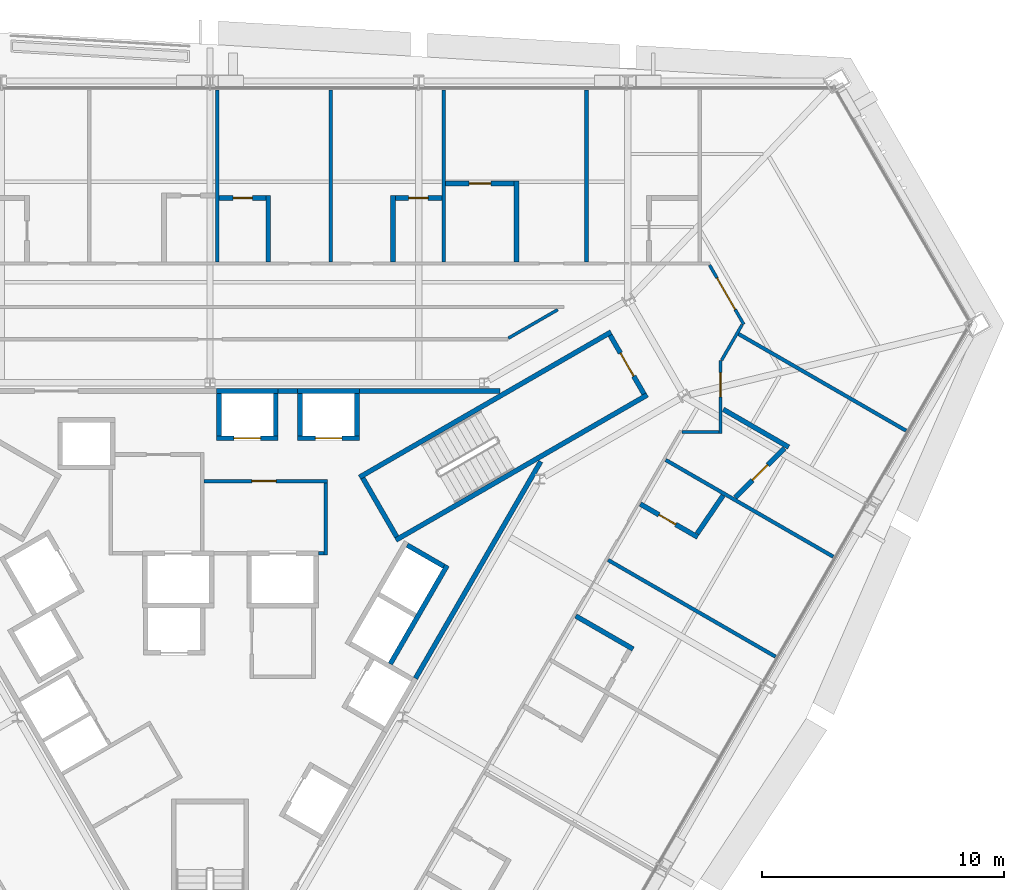
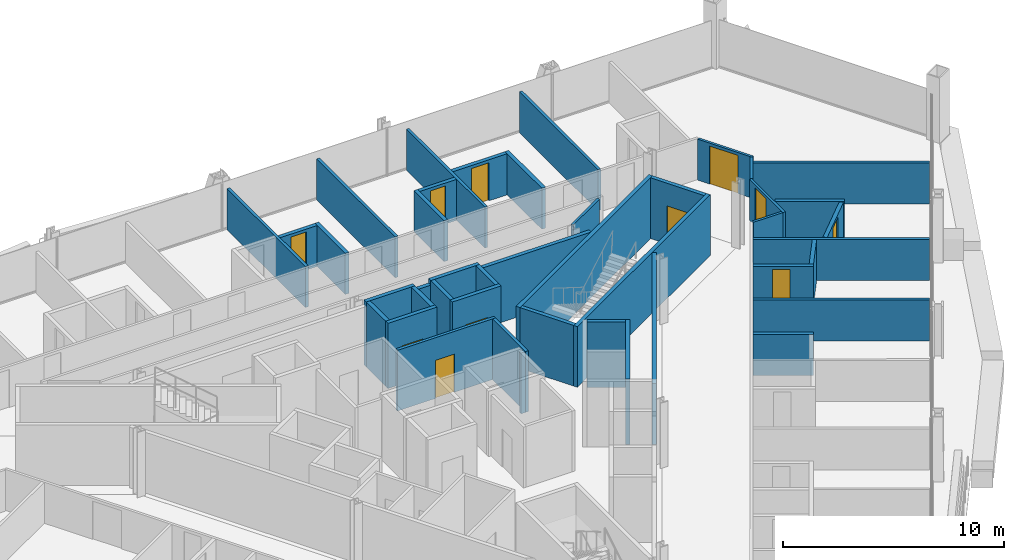
# One storey, part 15 of 18: 43 walls, 11 doors, 11 openings.
"""IFC4 building model written with IfcOpenShell, lengths in metres."""

from ifc_helpers import new_model, si_unit, direction, frame, frame_2d, origin, place, context, subcontext, project, spatial, rectangle, extrude, material, layer, layer_set, type_object, element, fill, save


model = new_model("IFC4")

# Units and contexts
model_context = context("Model", 3, precision=1e-05, world=origin(), true_north=direction((0.0, 1.0)))
body_context = subcontext(model_context, "Body", "Model", "MODEL_VIEW")
ifc_project = project(units=[si_unit("LENGTHUNIT", "METRE"), si_unit("AREAUNIT", "SQUARE_METRE"), si_unit("VOLUMEUNIT", "CUBIC_METRE"), si_unit("PLANEANGLEUNIT", "RADIAN"), si_unit("MASSUNIT", "GRAM", prefix="KILO")], contexts=[model_context])

# Site, building, storey
site_placement = place(None, origin())
site = spatial("IfcSite", under=ifc_project, at=site_placement, CompositionType="ELEMENT")
building_placement = place(site_placement, origin())
building = spatial("IfcBuilding", under=site, at=building_placement, Name="Verrane Prism Tower", CompositionType="ELEMENT")
storey_placement = place(building_placement, frame((0.0, 0.0, 83.60009765625)))
storey = spatial("IfcBuildingStorey", under=building, at=storey_placement, Name="L19", CompositionType="ELEMENT", Elevation=83.60009765625)

# Walls
ifc_material_1 = material(Name="Gypsum board partition", Category="other")
ifc_layer_1 = layer(ifc_material_1, 0.199951171875)
ifc_layer_set_1 = layer_set([ifc_layer_1], Name="CW-200 core boundary wall 2 h")
wall_type_1 = type_object("IfcWallType", Name="CW-200 core boundary wall 2 h", PredefinedType="PARTITIONING", material=ifc_layer_set_1)
wall_1_placement = place(storey_placement, frame((2.81689453125, 8.860107421875, 0.0), z_axis=(0.0, 0.0, 1.0), x_axis=(1.0, 0.0, 0.0)))
element("IfcWall", 1, at=wall_1_placement, inside=storey, type_object=wall_type_1, Name="Core boundary wall CW3-004", PredefinedType="PARTITIONING", context=body_context, shape_type="SweptSolid", body=[
    extrude(rectangle(XDim=0.80615234375, YDim=0.199951171875, at=frame_2d((0.403076171875, 0.0))), origin(), (0.0, 0.0, 1.0), 3.349853515625),
])
wall_2_placement = place(storey_placement, frame((6.177001953125, 8.860107421875, 0.0), z_axis=(0.0, 0.0, 1.0), x_axis=(1.0, 0.0, 0.0)))
element("IfcWall", 2, at=wall_2_placement, inside=storey, type_object=wall_type_1, Name="Core boundary wall CW3-006", PredefinedType="PARTITIONING", context=body_context, shape_type="SweptSolid", body=[
    extrude(rectangle(XDim=5.81396484375, YDim=0.199951171875, at=frame_2d((2.906982421875, 0.0))), origin(), (0.0, 0.0, 1.0), 3.349853515625),
])
wall_3_placement = place(storey_placement, frame((8.491943359375, -3.011962890625, 0.0), z_axis=(0.0, 0.0, 1.0), x_axis=(0.499972957231, 0.866041016371, 0.0)))
element("IfcWall", 3, at=wall_3_placement, inside=storey, type_object=wall_type_1, Name="Core boundary wall CW3-007", PredefinedType="PARTITIONING", context=body_context, shape_type="SweptSolid", body=[
    extrude(rectangle(XDim=10.3486328125, YDim=0.199951171875, at=frame_2d((5.17431640625, 0.0))), origin(), (0.0, 0.0, 1.0), 3.349853515625),
])

# Wall, opening, door
ifc_material_2 = material(Name="Concrete C40/50", Category="concrete")
ifc_layer_2 = layer(ifc_material_2, 0.199951171875)
ifc_layer_set_2 = layer_set([ifc_layer_2], Name="CW-200 stair core wall concrete C40/50 3 h")
wall_type_2 = type_object("IfcWallType", Name="CW-200 stair core wall concrete C40/50 3 h", PredefinedType="PARTITIONING", material=ifc_layer_set_2)
wall_4_placement = place(storey_placement, frame((17.933837890625, 8.737548828125, 0.0), z_axis=(0.0, 0.0, 1.0), x_axis=(-0.49998411664, 0.866034573852, 0.0)))
wall_4 = element("IfcWall", 4, at=wall_4_placement, inside=storey, type_object=wall_type_2, Name="Stair 1 enclosure wall", PredefinedType="PARTITIONING", context=body_context, shape_type="SweptSolid", body=[
    extrude(rectangle(XDim=2.7998046875, YDim=0.199951171875, at=frame_2d((1.39990234375, 0.0))), origin(), (0.0, 0.0, 1.0), 3.349853515625),
])
opening_1_placement = place(wall_4_placement, frame((0.849853515625, 0.0, 0.0)))
opening_1 = element("IfcOpeningElement", 5, at=opening_1_placement, cuts=wall_4, Name="Opening D17500", PredefinedType="OPENING", context=body_context, shape_type="SweptSolid", body=[
    extrude(rectangle(XDim=1.10009765625, YDim=2.10009765625, at=frame_2d((0.550048828125, 1.050048828125))), frame((0.0, 0.10986328125, 0.0), z_axis=(0.0, -1.0, 0.0), x_axis=(1.0, 0.0, 0.0)), (0.0, 0.0, 1.0), 0.219970703125),
])
ifc_material_3 = material(Name="Timber veneered door leaf", Category="wood")
door_type_1 = type_object("IfcDoorType", Name="DR-1100x2100 FD90 single leaf stair", OperationType="NOTDEFINED", PredefinedType="DOOR", material=ifc_material_3)
door_1_placement = place(opening_1_placement, origin())
door_1 = element("IfcDoor", 6, at=door_1_placement, inside=storey, type_object=door_type_1, Name="Stair 1 door", OperationType="SINGLE_SWING_LEFT", OverallHeight=2.10009765625, OverallWidth=1.10009765625, PredefinedType="DOOR", context=body_context, shape_type="SweptSolid", body=[
    extrude(rectangle(XDim=1.10009765625, YDim=2.10009765625, at=frame_2d((0.550048828125, 1.050048828125))), frame((0.0, 0.02490234375, 0.0), z_axis=(0.0, -1.0, 0.0), x_axis=(1.0, 0.0, 0.0)), (0.0, 0.0, 1.0), 0.050048828125),
])
fill(opening_1, door_1)

# Walls
for number, where, z_axis, x_axis, name in (
    (7, (6.17822265625, 5.299072265625, 0.0), (0.0, 0.0, 1.0), (0.866026010844, 0.49999894854, 0.0), "Stair 1 enclosure wall"),
    (8, (7.67822265625, 2.700927734375, 0.0), (0.0, 0.0, 1.0), (0.866026010844, 0.49999894854, 0.0), "Stair 1 enclosure wall"),
):
    element("IfcWall", number, at=place(storey_placement, frame(where, z_axis=z_axis, x_axis=x_axis)), inside=storey, type_object=wall_type_2, Name=name, PredefinedType="PARTITIONING", context=body_context, shape_type="SweptSolid", body=[
        extrude(rectangle(XDim=12.0, YDim=0.199951171875, at=frame_2d((6.0, 0.0))), origin(), (0.0, 0.0, 1.0), 3.349853515625),
    ])
wall_5_placement = place(storey_placement, frame((7.71484375, 2.837646484375, 0.0), z_axis=(0.0, 0.0, 1.0), x_axis=(-0.500049511043, 0.865996816683, 0.0)))
element("IfcWall", 9, at=wall_5_placement, inside=storey, type_object=wall_type_2, Name="Stair 1 enclosure wall", PredefinedType="PARTITIONING", context=body_context, shape_type="SweptSolid", body=[
    extrude(rectangle(XDim=2.800048828125, YDim=0.199951171875, at=frame_2d((1.39990234375, 0.0))), origin(), (0.0, 0.0, 1.0), 3.349853515625),
])

# Wall, opening, door
ifc_material_4 = material(Name="Gypsum board shaft wall assembly", Category="other")
ifc_layer_3 = layer(ifc_material_4, 0.199951171875)
ifc_layer_set_3 = layer_set([ifc_layer_3], Name="HW-200 lift shaft wall 2 h")
wall_type_3 = type_object("IfcWallType", Name="HW-200 lift shaft wall 2 h", PredefinedType="PARTITIONING", material=ifc_layer_set_3)
wall_6_placement = place(storey_placement, frame((0.264892578125, 6.909912109375, 0.0), z_axis=(0.0, 0.0, 1.0), x_axis=(1.0, 0.0, 0.0)))
wall_6 = element("IfcWall", 10, at=wall_6_placement, inside=storey, type_object=wall_type_3, Name="Lift shaft wall", PredefinedType="PARTITIONING", context=body_context, shape_type="SweptSolid", body=[
    extrude(rectangle(XDim=2.550048828125, YDim=0.199951171875, at=frame_2d((1.27490234375, 0.0))), origin(), (0.0, 0.0, 1.0), 3.599853515625),
])
opening_2_placement = place(wall_6_placement, frame((0.72509765625, 0.0, 0.0)))
opening_2 = element("IfcOpeningElement", 11, at=opening_2_placement, cuts=wall_6, Name="Opening D17503", PredefinedType="OPENING", context=body_context, shape_type="SweptSolid", body=[
    extrude(rectangle(XDim=1.10009765625, YDim=2.10009765625, at=frame_2d((0.550048828125, 1.050048828125))), frame((0.0, 0.10986328125, 0.0), z_axis=(0.0, -1.0, 0.0), x_axis=(1.0, 0.0, 0.0)), (0.0, 0.0, 1.0), 0.219970703125),
])
ifc_material_5 = material(Name="Stainless steel sliding landing door", Category="steel")
door_type_2 = type_object("IfcDoorType", Name="LD-1100x2100 lift landing door FD90 sliding", OperationType="NOTDEFINED", PredefinedType="DOOR", material=ifc_material_5)
door_2_placement = place(opening_2_placement, origin())
door_2 = element("IfcDoor", 12, at=door_2_placement, inside=storey, type_object=door_type_2, Name="Bank A lift 1 landing door", OperationType="SLIDING_TO_LEFT", OverallHeight=2.10009765625, OverallWidth=1.10009765625, PredefinedType="DOOR", context=body_context, shape_type="SweptSolid", body=[
    extrude(rectangle(XDim=1.10009765625, YDim=2.10009765625, at=frame_2d((0.550048828125, 1.050048828125))), frame((0.0, 0.02490234375, 0.0), z_axis=(0.0, -1.0, 0.0), x_axis=(1.0, 0.0, 0.0)), (0.0, 0.0, 1.0), 0.050048828125),
])
fill(opening_2, door_2)

wall_7_placement = place(storey_placement, frame((3.625, 6.909912109375, 0.0), z_axis=(0.0, 0.0, 1.0), x_axis=(1.0, 0.0, 0.0)))
wall_7 = element("IfcWall", 13, at=wall_7_placement, inside=storey, type_object=wall_type_3, Name="Lift shaft wall", PredefinedType="PARTITIONING", context=body_context, shape_type="SweptSolid", body=[
    extrude(rectangle(XDim=2.550048828125, YDim=0.199951171875, at=frame_2d((1.27490234375, 0.0))), origin(), (0.0, 0.0, 1.0), 3.599853515625),
])
opening_3_placement = place(wall_7_placement, frame((0.72509765625, 0.0, 0.0)))
opening_3 = element("IfcOpeningElement", 14, at=opening_3_placement, cuts=wall_7, Name="Opening D17505", PredefinedType="OPENING", context=body_context, shape_type="SweptSolid", body=[
    extrude(rectangle(XDim=1.10009765625, YDim=2.10009765625, at=frame_2d((0.550048828125, 1.050048828125))), frame((0.0, 0.10986328125, 0.0), z_axis=(0.0, -1.0, 0.0), x_axis=(1.0, 0.0, 0.0)), (0.0, 0.0, 1.0), 0.219970703125),
])
door_3_placement = place(opening_3_placement, origin())
door_3 = element("IfcDoor", 15, at=door_3_placement, inside=storey, type_object=door_type_2, Name="Bank A lift 3 landing door", OperationType="SLIDING_TO_LEFT", OverallHeight=2.10009765625, OverallWidth=1.10009765625, PredefinedType="DOOR", context=body_context, shape_type="SweptSolid", body=[
    extrude(rectangle(XDim=1.10009765625, YDim=2.10009765625, at=frame_2d((0.550048828125, 1.050048828125))), frame((0.0, 0.02490234375, 0.0), z_axis=(0.0, -1.0, 0.0), x_axis=(1.0, 0.0, 0.0)), (0.0, 0.0, 1.0), 0.050048828125),
])
fill(opening_3, door_3)

# Walls
for number, where, z_axis, x_axis, name in (
    (16, (0.264892578125, 8.860107421875, 0.0), (0.0, 0.0, 1.0), (1.0, 0.0, 0.0), "Lift shaft wall"),
    (17, (3.625, 8.860107421875, 0.0), (0.0, 0.0, 1.0), (1.0, 0.0, 0.0), "Lift shaft wall"),
):
    element("IfcWall", number, at=place(storey_placement, frame(where, z_axis=z_axis, x_axis=x_axis)), inside=storey, type_object=wall_type_3, Name=name, PredefinedType="PARTITIONING", context=body_context, shape_type="SweptSolid", body=[
        extrude(rectangle(XDim=2.550048828125, YDim=0.199951171875, at=frame_2d((1.27490234375, 0.0))), origin(), (0.0, 0.0, 1.0), 3.599853515625),
    ])
wall_8_placement = place(storey_placement, frame((7.451171875, -2.4140625, 0.0), z_axis=(0.0, 0.0, 1.0), x_axis=(0.500016218704, 0.866016039709, 0.0)))
element("IfcWall", 18, at=wall_8_placement, inside=storey, type_object=wall_type_3, Name="Lift shaft wall", PredefinedType="PARTITIONING", context=body_context, shape_type="SweptSolid", body=[
    extrude(rectangle(XDim=4.699951171875, YDim=0.199951171875, at=frame_2d((2.35009765625, 0.0))), origin(), (0.0, 0.0, 1.0), 3.599853515625),
])
for number, where, z_axis, x_axis, name in (
    (19, (6.074951171875, 7.010009765625, 0.0), (0.0, 0.0, 1.0), (0.0, 1.0, 0.0), "Lift shaft wall"),
    (20, (3.72509765625, 7.010009765625, 0.0), (0.0, 0.0, 1.0), (0.0, 1.0, 0.0), "Lift shaft wall"),
    (21, (2.715087890625, 7.010009765625, 0.0), (0.0, 0.0, 1.0), (0.0, 1.0, 0.0), "Lift shaft wall"),
    (22, (0.364990234375, 7.010009765625, 0.0), (0.0, 0.0, 1.0), (0.0, 1.0, 0.0), "Lift shaft wall"),
):
    element("IfcWall", number, at=place(storey_placement, frame(where, z_axis=z_axis, x_axis=x_axis)), inside=storey, type_object=wall_type_3, Name=name, PredefinedType="PARTITIONING", context=body_context, shape_type="SweptSolid", body=[
        extrude(rectangle(XDim=1.75, YDim=0.199951171875, at=frame_2d((0.875, 0.0))), origin(), (0.0, 0.0, 1.0), 3.599853515625),
    ])
wall_9_placement = place(storey_placement, frame((9.66455078125, 1.61962890625, 0.0), z_axis=(0.0, 0.0, 1.0), x_axis=(-0.866002029911, 0.500040482552, 0.0)))
element("IfcWall", 23, at=wall_9_placement, inside=storey, type_object=wall_type_3, Name="Lift shaft wall", PredefinedType="PARTITIONING", context=body_context, shape_type="SweptSolid", body=[
    extrude(rectangle(XDim=1.749755859375, YDim=0.199951171875, at=frame_2d((0.875, 0.0))), origin(), (0.0, 0.0, 1.0), 3.599853515625),
])

# Wall, opening, door
ifc_material_6 = material(Name="Gypsum board partition", Category="other")
ifc_layer_4 = layer(ifc_material_6, 0.14990234375)
ifc_layer_set_4 = layer_set([ifc_layer_4], Name="LF-150 firefighting lobby wall 1 h")
wall_type_4 = type_object("IfcWallType", Name="LF-150 firefighting lobby wall 1 h", PredefinedType="PARTITIONING", material=ifc_layer_set_4)
wall_10_placement = place(storey_placement, frame((-0.2451171875, 5.139892578125, 0.0), z_axis=(0.0, 0.0, 1.0), x_axis=(1.0, 0.0, 0.0)))
wall_10 = element("IfcWall", 24, at=wall_10_placement, inside=storey, type_object=wall_type_4, Name="Firefighting lobby wall LF1-005", PredefinedType="PARTITIONING", context=body_context, shape_type="SweptSolid", body=[
    extrude(rectangle(XDim=5.110107421875, YDim=0.14990234375, at=frame_2d((2.55517578125, 0.0))), origin(), (0.0, 0.0, 1.0), 3.349853515625),
])
opening_4_placement = place(wall_10_placement, frame((1.97509765625, 0.0, 0.0)))
opening_4 = element("IfcOpeningElement", 25, at=opening_4_placement, cuts=wall_10, Name="Opening D17516", PredefinedType="OPENING", context=body_context, shape_type="SweptSolid", body=[
    extrude(rectangle(XDim=1.0, YDim=2.10009765625, at=frame_2d((0.5, 1.050048828125))), frame((0.0, 0.0849609375, 0.0), z_axis=(0.0, -1.0, 0.0), x_axis=(1.0, 0.0, 0.0)), (0.0, 0.0, 1.0), 0.169921875),
])
ifc_material_7 = material(Name="Timber veneered door leaf", Category="wood")
door_type_3 = type_object("IfcDoorType", Name="DR-1000x2100 FD60 single leaf firefighting lobby", OperationType="NOTDEFINED", PredefinedType="DOOR", material=ifc_material_7)
door_4_placement = place(opening_4_placement, origin())
door_4 = element("IfcDoor", 26, at=door_4_placement, inside=storey, type_object=door_type_3, Name="Firefighting lobby door D17516", OperationType="SINGLE_SWING_RIGHT", OverallHeight=2.10009765625, OverallWidth=1.0, PredefinedType="DOOR", context=body_context, shape_type="SweptSolid", body=[
    extrude(rectangle(XDim=1.0, YDim=2.10009765625, at=frame_2d((0.5, 1.050048828125))), frame((0.0, 0.02490234375, 0.0), z_axis=(0.0, -1.0, 0.0), x_axis=(1.0, 0.0, 0.0)), (0.0, 0.0, 1.0), 0.050048828125),
])
fill(opening_4, door_4)

# Walls
wall_11_placement = place(storey_placement, frame((4.47705078125, 2.159912109375, 0.0), z_axis=(0.0, 0.0, 1.0), x_axis=(1.0, 0.0, 0.0)))
element("IfcWall", 27, at=wall_11_placement, inside=storey, type_object=wall_type_4, Name="Firefighting lobby wall LF1-007", PredefinedType="PARTITIONING", context=body_context, shape_type="SweptSolid", body=[
    extrude(rectangle(XDim=0.238037109375, YDim=0.14990234375, at=frame_2d((0.119140625, 0.0))), origin(), (0.0, 0.0, 1.0), 3.349853515625),
])
wall_12_placement = place(storey_placement, frame((4.7900390625, 2.0849609375, 0.0), z_axis=(0.0, 0.0, 1.0), x_axis=(0.0, 1.0, 0.0)))
element("IfcWall", 28, at=wall_12_placement, inside=storey, type_object=wall_type_4, Name="Firefighting lobby wall LF1-008", PredefinedType="PARTITIONING", context=body_context, shape_type="SweptSolid", body=[
    extrude(rectangle(XDim=2.97998046875, YDim=0.14990234375, at=frame_2d((1.489990234375, 0.0))), origin(), (0.0, 0.0, 1.0), 3.349853515625),
])
ifc_material_8 = material(Name="Gypsum board partition", Category="other")
ifc_layer_5 = layer(ifc_material_8, 0.125)
ifc_layer_set_5 = layer_set([ifc_layer_5], Name="PW-125 corridor wall 1 h")
wall_type_5 = type_object("IfcWallType", Name="PW-125 corridor wall 1 h", PredefinedType="PARTITIONING", material=ifc_layer_set_5)
wall_13_placement = place(storey_placement, frame((12.32666015625, 11.04248046875, 0.0), z_axis=(0.0, 0.0, 1.0), x_axis=(0.866063239147, 0.499934461503, 0.0)))
element("IfcWall", 29, at=wall_13_placement, inside=storey, type_object=wall_type_5, Name="Corridor wall 072", PredefinedType="PARTITIONING", context=body_context, shape_type="SweptSolid", body=[
    extrude(rectangle(XDim=2.359130859375, YDim=0.125, at=frame_2d((1.1796875, 0.0))), origin(), (0.0, 0.0, 1.0), 2.261962890625),
])
wall_14_placement = place(storey_placement, frame((19.510009765625, 7.1630859375, 0.0), z_axis=(0.0, 0.0, 1.0), x_axis=(1.0, 0.0, 0.0)))
element("IfcWall", 30, at=wall_14_placement, inside=storey, type_object=wall_type_5, Name="Corridor wall 085", PredefinedType="PARTITIONING", context=body_context, shape_type="SweptSolid", body=[
    extrude(rectangle(XDim=1.52197265625, YDim=0.125, at=frame_2d((0.760986328125, 0.0))), origin(), (0.0, 0.0, 1.0), 2.261962890625),
])

# Wall, opening, door
wall_15_placement = place(storey_placement, frame((20.642578125, 14.0634765625, 0.0), z_axis=(0.0, 0.0, 1.0), x_axis=(0.499647745683, -0.866228682412, 0.0)))
wall_15 = element("IfcWall", 31, at=wall_15_placement, inside=storey, type_object=wall_type_5, Name="Corridor wall 088", PredefinedType="PARTITIONING", context=body_context, shape_type="SweptSolid", body=[
    extrude(rectangle(XDim=2.8291015625, YDim=0.125, at=frame_2d((1.41455078125, 0.0))), origin(), (0.0, 0.0, 1.0), 2.261962890625),
])
opening_5_placement = place(wall_15_placement, frame((0.614990234375, 0.0, 0.0)))
opening_5 = element("IfcOpeningElement", 32, at=opening_5_placement, cuts=wall_15, Name="Opening D17017", PredefinedType="OPENING", context=body_context, shape_type="SweptSolid", body=[
    extrude(rectangle(XDim=1.5, YDim=2.10009765625, at=frame_2d((0.75, 1.050048828125))), frame((0.0, 0.072509765625, 0.0), z_axis=(0.0, -1.0, 0.0), x_axis=(1.0, 0.0, 0.0)), (0.0, 0.0, 1.0), 0.14501953125),
])
ifc_material_9 = material(Name="Timber veneered door leaf", Category="wood")
door_type_4 = type_object("IfcDoorType", Name="DR-1500x2100 FD20 double leaf public", OperationType="NOTDEFINED", PredefinedType="DOOR", material=ifc_material_9)
door_5_placement = place(opening_5_placement, origin())
door_5 = element("IfcDoor", 33, at=door_5_placement, inside=storey, type_object=door_type_4, Name="Executive Lounge door", OperationType="DOUBLE_DOOR_SINGLE_SWING", OverallHeight=2.10009765625, OverallWidth=1.5, PredefinedType="DOOR", context=body_context, shape_type="SweptSolid", body=[
    extrude(rectangle(XDim=1.5, YDim=2.10009765625, at=frame_2d((0.75, 1.050048828125))), frame((0.0, 0.02490234375, 0.0), z_axis=(0.0, -1.0, 0.0), x_axis=(1.0, 0.0, 0.0)), (0.0, 0.0, 1.0), 0.050048828125),
])
fill(opening_5, door_5)

wall_16_placement = place(storey_placement, frame((21.096923828125, 10.12255859375, 0.0), z_axis=(0.0, 0.0, 1.0), x_axis=(0.0, -1.0, 0.0)))
wall_16 = element("IfcWall", 34, at=wall_16_placement, inside=storey, type_object=wall_type_5, Name="Corridor wall 089", PredefinedType="PARTITIONING", context=body_context, shape_type="SweptSolid", body=[
    extrude(rectangle(XDim=3.02197265625, YDim=0.125, at=frame_2d((1.510986328125, 0.0))), origin(), (0.0, 0.0, 1.0), 2.261962890625),
])
opening_6_placement = place(wall_16_placement, frame((0.505615234375, 0.0, 0.0)))
opening_6 = element("IfcOpeningElement", 35, at=opening_6_placement, cuts=wall_16, Name="Opening D17015", PredefinedType="OPENING", context=body_context, shape_type="SweptSolid", body=[
    extrude(rectangle(XDim=1.0, YDim=2.10009765625, at=frame_2d((0.5, 1.050048828125))), frame((0.0, 0.072509765625, 0.0), z_axis=(0.0, -1.0, 0.0), x_axis=(1.0, 0.0, 0.0)), (0.0, 0.0, 1.0), 0.14501953125),
])
ifc_material_10 = material(Name="Timber veneered door leaf", Category="wood")
door_type_5 = type_object("IfcDoorType", Name="DR-1000x2100 FD20 single leaf unit", OperationType="NOTDEFINED", PredefinedType="DOOR", material=ifc_material_10)
door_6_placement = place(opening_6_placement, origin())
door_6 = element("IfcDoor", 36, at=door_6_placement, inside=storey, type_object=door_type_5, Name="Accessible Guest Room door", OperationType="SINGLE_SWING_RIGHT", OverallHeight=2.10009765625, OverallWidth=1.0, PredefinedType="DOOR", context=body_context, shape_type="SweptSolid", body=[
    extrude(rectangle(XDim=1.0, YDim=2.10009765625, at=frame_2d((0.5, 1.050048828125))), frame((0.0, 0.02490234375, 0.0), z_axis=(0.0, -1.0, 0.0), x_axis=(1.0, 0.0, 0.0)), (0.0, 0.0, 1.0), 0.050048828125),
])
fill(opening_6, door_6)

# Walls
wall_17_placement = place(storey_placement, frame((21.139404296875, 10.133544921875, 0.0), z_axis=(0.0, 0.0, 1.0), x_axis=(0.500048373822, 0.865997473344, 0.0)))
element("IfcWall", 37, at=wall_17_placement, inside=storey, type_object=wall_type_5, Name="Corridor wall 091", PredefinedType="PARTITIONING", context=body_context, shape_type="SweptSolid", body=[
    extrude(rectangle(XDim=1.685791015625, YDim=0.125, at=frame_2d((0.8427734375, 0.0))), origin(), (0.0, 0.0, 1.0), 2.261962890625),
])
ifc_material_11 = material(Name="Gypsum board partition", Category="other")
ifc_layer_6 = layer(ifc_material_11, 0.14990234375)
ifc_layer_set_6 = layer_set([ifc_layer_6], Name="PW-150 demising wall 1 h")
wall_type_6 = type_object("IfcWallType", Name="PW-150 demising wall 1 h", PredefinedType="PARTITIONING", material=ifc_layer_set_6)
for number, where, z_axis, x_axis, name in (
    (38, (0.304931640625, 14.199462890625, 0.0), (0.0, 0.0, 1.0), (0.0, 1.0, 0.0), "Demising wall 047"),
    (39, (4.98291015625, 14.199462890625, 0.0), (0.0, 0.0, 1.0), (0.0, 1.0, 0.0), "Demising wall 057"),
    (40, (9.659912109375, 14.199462890625, 0.0), (0.0, 0.0, 1.0), (0.0, 1.0, 0.0), "Demising wall 066"),
    (41, (15.55810546875, 14.199462890625, 0.0), (0.0, 0.0, 1.0), (0.0, 1.0, 0.0), "Demising wall 078"),
):
    element("IfcWall", number, at=place(storey_placement, frame(where, z_axis=z_axis, x_axis=x_axis)), inside=storey, type_object=wall_type_6, Name=name, PredefinedType="PARTITIONING", context=body_context, shape_type="SweptSolid", body=[
        extrude(rectangle(XDim=7.095458984375, YDim=0.14990234375, at=frame_2d((3.5478515625, 0.0))), origin(), (0.0, 0.0, 1.0), 2.261962890625),
    ])
wall_18_placement = place(storey_placement, frame((16.450439453125, 1.877197265625, 0.0), z_axis=(0.0, 0.0, 1.0), x_axis=(0.866052736899, -0.499952654668, 0.0)))
element("IfcWall", 42, at=wall_18_placement, inside=storey, type_object=wall_type_6, Name="Demising wall 080", PredefinedType="PARTITIONING", context=body_context, shape_type="SweptSolid", body=[
    extrude(rectangle(XDim=7.987060546875, YDim=0.14990234375, at=frame_2d((3.99365234375, 0.0))), origin(), (0.0, 0.0, 1.0), 2.261962890625),
])
wall_19_placement = place(storey_placement, frame((18.83203125, 6.0107421875, 0.0), z_axis=(0.0, 0.0, 1.0), x_axis=(0.866027362729, -0.499996606993, 0.0)))
element("IfcWall", 43, at=wall_19_placement, inside=storey, type_object=wall_type_6, Name="Demising wall 084", PredefinedType="PARTITIONING", context=body_context, shape_type="SweptSolid", body=[
    extrude(rectangle(XDim=7.9912109375, YDim=0.14990234375, at=frame_2d((3.99560546875, 0.0))), origin(), (0.0, 0.0, 1.0), 2.261962890625),
])
wall_20_placement = place(storey_placement, frame((21.839111328125, 11.21875, 0.0), z_axis=(0.0, 0.0, 1.0), x_axis=(0.866019724796, -0.500009836168, 0.0)))
element("IfcWall", 44, at=wall_20_placement, inside=storey, type_object=wall_type_6, Name="Demising wall 093", PredefinedType="PARTITIONING", context=body_context, shape_type="SweptSolid", body=[
    extrude(rectangle(XDim=7.990966796875, YDim=0.14990234375, at=frame_2d((3.99560546875, 0.0))), origin(), (0.0, 0.0, 1.0), 2.261962890625),
])

# Wall, opening, door
ifc_material_12 = material(Name="Gypsum board partition", Category="other")
ifc_layer_7 = layer(ifc_material_12, 0.199951171875)
ifc_layer_set_7 = layer_set([ifc_layer_7], Name="PW-200 plumbing wall")
wall_type_7 = type_object("IfcWallType", Name="PW-200 plumbing wall", PredefinedType="PARTITIONING", material=ifc_layer_set_7)
wall_21_placement = place(storey_placement, frame((2.304931640625, 16.8369140625, 0.0), z_axis=(0.0, 0.0, 1.0), x_axis=(-1.0, 0.0, 0.0)))
wall_21 = element("IfcWall", 45, at=wall_21_placement, inside=storey, type_object=wall_type_7, Name="Plumbing wall 048", PredefinedType="PARTITIONING", context=body_context, shape_type="SweptSolid", body=[
    extrude(rectangle(XDim=1.925048828125, YDim=0.199951171875, at=frame_2d((0.96240234375, 0.0))), origin(), (0.0, 0.0, 1.0), 2.261962890625),
])
opening_7_placement = place(wall_21_placement, frame((0.550048828125, 0.0, 0.0)))
opening_7 = element("IfcOpeningElement", 46, at=opening_7_placement, cuts=wall_21, Name="Opening D17025", PredefinedType="OPENING", context=body_context, shape_type="SweptSolid", body=[
    extrude(rectangle(XDim=0.800048828125, YDim=2.10009765625, at=frame_2d((0.39990234375, 1.050048828125))), frame((0.0, 0.10986328125, 0.0), z_axis=(0.0, -1.0, 0.0), x_axis=(1.0, 0.0, 0.0)), (0.0, 0.0, 1.0), 0.219970703125),
])
ifc_material_13 = material(Name="Timber veneered door leaf", Category="wood")
door_type_6 = type_object("IfcDoorType", Name="DR-800x2100 single leaf bath", OperationType="NOTDEFINED", PredefinedType="DOOR", material=ifc_material_13)
door_7_placement = place(opening_7_placement, origin())
door_7 = element("IfcDoor", 47, at=door_7_placement, inside=storey, type_object=door_type_6, Name="En-Suite door", OperationType="SINGLE_SWING_RIGHT", OverallHeight=2.10009765625, OverallWidth=0.800048828125, PredefinedType="DOOR", context=body_context, shape_type="SweptSolid", body=[
    extrude(rectangle(XDim=0.800048828125, YDim=2.10009765625, at=frame_2d((0.39990234375, 1.050048828125))), frame((0.0, 0.02490234375, 0.0), z_axis=(0.0, -1.0, 0.0), x_axis=(1.0, 0.0, 0.0)), (0.0, 0.0, 1.0), 0.050048828125),
])
fill(opening_7, door_7)

# Walls
for number, where, z_axis, x_axis, name in (
    (48, (2.405029296875, 14.199462890625, 0.0), (0.0, 0.0, 1.0), (0.0, 1.0, 0.0), "Plumbing wall 052"),
    (49, (7.56005859375, 14.199462890625, 0.0), (0.0, 0.0, 1.0), (0.0, 1.0, 0.0), "Plumbing wall 062"),
):
    element("IfcWall", number, at=place(storey_placement, frame(where, z_axis=z_axis, x_axis=x_axis)), inside=storey, type_object=wall_type_7, Name=name, PredefinedType="PARTITIONING", context=body_context, shape_type="SweptSolid", body=[
        extrude(rectangle(XDim=2.737548828125, YDim=0.199951171875, at=frame_2d((1.36865234375, 0.0))), origin(), (0.0, 0.0, 1.0), 2.261962890625),
    ])

# Wall, opening, door
wall_22_placement = place(storey_placement, frame((9.5849609375, 16.8369140625, 0.0), z_axis=(0.0, 0.0, 1.0), x_axis=(-1.0, 0.0, 0.0)))
wall_22 = element("IfcWall", 50, at=wall_22_placement, inside=storey, type_object=wall_type_7, Name="Plumbing wall 063", PredefinedType="PARTITIONING", context=body_context, shape_type="SweptSolid", body=[
    extrude(rectangle(XDim=1.925048828125, YDim=0.199951171875, at=frame_2d((0.96240234375, 0.0))), origin(), (0.0, 0.0, 1.0), 2.261962890625),
])
opening_8_placement = place(wall_22_placement, frame((0.574951171875, 0.0, 0.0)))
opening_8 = element("IfcOpeningElement", 51, at=opening_8_placement, cuts=wall_22, Name="Opening D17023", PredefinedType="OPENING", context=body_context, shape_type="SweptSolid", body=[
    extrude(rectangle(XDim=0.800048828125, YDim=2.10009765625, at=frame_2d((0.39990234375, 1.050048828125))), frame((0.0, 0.10986328125, 0.0), z_axis=(0.0, -1.0, 0.0), x_axis=(1.0, 0.0, 0.0)), (0.0, 0.0, 1.0), 0.219970703125),
])
door_8_placement = place(opening_8_placement, origin())
door_8 = element("IfcDoor", 52, at=door_8_placement, inside=storey, type_object=door_type_6, Name="En-Suite door", OperationType="SINGLE_SWING_RIGHT", OverallHeight=2.10009765625, OverallWidth=0.800048828125, PredefinedType="DOOR", context=body_context, shape_type="SweptSolid", body=[
    extrude(rectangle(XDim=0.800048828125, YDim=2.10009765625, at=frame_2d((0.39990234375, 1.050048828125))), frame((0.0, 0.02490234375, 0.0), z_axis=(0.0, -1.0, 0.0), x_axis=(1.0, 0.0, 0.0)), (0.0, 0.0, 1.0), 0.050048828125),
])
fill(opening_8, door_8)

wall_23_placement = place(storey_placement, frame((12.56005859375, 17.43701171875, 0.0), z_axis=(0.0, 0.0, 1.0), x_axis=(-1.0, 0.0, 0.0)))
wall_23 = element("IfcWall", 53, at=wall_23_placement, inside=storey, type_object=wall_type_7, Name="Plumbing wall 067", PredefinedType="PARTITIONING", context=body_context, shape_type="SweptSolid", body=[
    extrude(rectangle(XDim=2.824951171875, YDim=0.199951171875, at=frame_2d((1.41259765625, 0.0))), origin(), (0.0, 0.0, 1.0), 2.261962890625),
])
opening_9_placement = place(wall_23_placement, frame((0.949951171875, 0.0, 0.0)))
opening_9 = element("IfcOpeningElement", 54, at=opening_9_placement, cuts=wall_23, Name="Opening D17021", PredefinedType="OPENING", context=body_context, shape_type="SweptSolid", body=[
    extrude(rectangle(XDim=0.89990234375, YDim=2.10009765625, at=frame_2d((0.449951171875, 1.050048828125))), frame((0.0, 0.10986328125, 0.0), z_axis=(0.0, -1.0, 0.0), x_axis=(1.0, 0.0, 0.0)), (0.0, 0.0, 1.0), 0.219970703125),
])
ifc_material_14 = material(Name="Timber veneered door leaf", Category="wood")
door_type_7 = type_object("IfcDoorType", Name="DR-900x2100 single leaf bath", OperationType="NOTDEFINED", PredefinedType="DOOR", material=ifc_material_14)
door_9_placement = place(opening_9_placement, origin())
door_9 = element("IfcDoor", 55, at=door_9_placement, inside=storey, type_object=door_type_7, Name="En-Suite door", OperationType="SINGLE_SWING_RIGHT", OverallHeight=2.10009765625, OverallWidth=0.89990234375, PredefinedType="DOOR", context=body_context, shape_type="SweptSolid", body=[
    extrude(rectangle(XDim=0.89990234375, YDim=2.10009765625, at=frame_2d((0.449951171875, 1.050048828125))), frame((0.0, 0.02490234375, 0.0), z_axis=(0.0, -1.0, 0.0), x_axis=(1.0, 0.0, 0.0)), (0.0, 0.0, 1.0), 0.050048828125),
])
fill(opening_9, door_9)

# Walls
wall_24_placement = place(storey_placement, frame((12.659912109375, 14.199462890625, 0.0), z_axis=(0.0, 0.0, 1.0), x_axis=(0.0, 1.0, 0.0)))
element("IfcWall", 56, at=wall_24_placement, inside=storey, type_object=wall_type_7, Name="Plumbing wall 073", PredefinedType="PARTITIONING", context=body_context, shape_type="SweptSolid", body=[
    extrude(rectangle(XDim=3.337646484375, YDim=0.199951171875, at=frame_2d((1.6689453125, 0.0))), origin(), (0.0, 0.0, 1.0), 2.261962890625),
])
wall_25_placement = place(storey_placement, frame((15.115478515625, -0.434814453125, 0.0), z_axis=(0.0, 0.0, 1.0), x_axis=(0.866102295869, -0.499866795347, 0.0)))
element("IfcWall", 57, at=wall_25_placement, inside=storey, type_object=wall_type_7, Name="Plumbing wall 076", PredefinedType="PARTITIONING", context=body_context, shape_type="SweptSolid", body=[
    extrude(rectangle(XDim=2.733154296875, YDim=0.199951171875, at=frame_2d((1.36669921875, 0.0))), origin(), (0.0, 0.0, 1.0), 2.261962890625),
])

# Wall, opening, door
wall_26_placement = place(storey_placement, frame((17.7822265625, 4.191650390625, 0.0), z_axis=(0.0, 0.0, 1.0), x_axis=(0.866005850709, -0.50003386539, 0.0)))
wall_26 = element("IfcWall", 58, at=wall_26_placement, inside=storey, type_object=wall_type_7, Name="Plumbing wall 081", PredefinedType="PARTITIONING", context=body_context, shape_type="SweptSolid", body=[
    extrude(rectangle(XDim=2.737060546875, YDim=0.199951171875, at=frame_2d((1.36865234375, 0.0))), origin(), (0.0, 0.0, 1.0), 2.261962890625),
])
opening_10_placement = place(wall_26_placement, frame((0.887451171875, 0.0, 0.0)))
opening_10 = element("IfcOpeningElement", 59, at=opening_10_placement, cuts=wall_26, Name="Opening D17014", PredefinedType="OPENING", context=body_context, shape_type="SweptSolid", body=[
    extrude(rectangle(XDim=0.800048828125, YDim=2.10009765625, at=frame_2d((0.39990234375, 1.050048828125))), frame((0.0, 0.10986328125, 0.0), z_axis=(0.0, -1.0, 0.0), x_axis=(1.0, 0.0, 0.0)), (0.0, 0.0, 1.0), 0.219970703125),
])
door_10_placement = place(opening_10_placement, origin())
door_10 = element("IfcDoor", 60, at=door_10_placement, inside=storey, type_object=door_type_6, Name="En-Suite door", OperationType="SINGLE_SWING_RIGHT", OverallHeight=2.10009765625, OverallWidth=0.800048828125, PredefinedType="DOOR", context=body_context, shape_type="SweptSolid", body=[
    extrude(rectangle(XDim=0.800048828125, YDim=2.10009765625, at=frame_2d((0.39990234375, 1.050048828125))), frame((0.0, 0.02490234375, 0.0), z_axis=(0.0, -1.0, 0.0), x_axis=(1.0, 0.0, 0.0)), (0.0, 0.0, 1.0), 0.050048828125),
])
fill(opening_10, door_10)

# Walls
wall_27_placement = place(storey_placement, frame((20.127685546875, 2.964111328125, 0.0), z_axis=(0.0, 0.0, 1.0), x_axis=(0.561894569182, 0.827208857015, 0.0)))
element("IfcWall", 61, at=wall_27_placement, inside=storey, type_object=wall_type_7, Name="Plumbing wall 086", PredefinedType="PARTITIONING", context=body_context, shape_type="SweptSolid", body=[
    extrude(rectangle(XDim=1.9130859375, YDim=0.199951171875, at=frame_2d((0.95654296875, 0.0))), origin(), (0.0, 0.0, 1.0), 2.261962890625),
])
wall_28_placement = place(storey_placement, frame((21.20947265625, 8.10205078125, 0.0), z_axis=(0.0, 0.0, 1.0), x_axis=(0.86597196262, -0.50009255139, 0.0)))
element("IfcWall", 62, at=wall_28_placement, inside=storey, type_object=wall_type_7, Name="Plumbing wall 090", PredefinedType="PARTITIONING", context=body_context, shape_type="SweptSolid", body=[
    extrude(rectangle(XDim=3.12158203125, YDim=0.199951171875, at=frame_2d((1.560791015625, 0.0))), origin(), (0.0, 0.0, 1.0), 2.261962890625),
])

# Wall, opening, door
wall_29_placement = place(storey_placement, frame((21.70849609375, 4.4658203125, 0.0), z_axis=(0.0, 0.0, 1.0), x_axis=(0.70578703929, 0.708424064506, 0.0)))
wall_29 = element("IfcWall", 63, at=wall_29_placement, inside=storey, type_object=wall_type_7, Name="Plumbing wall 092", PredefinedType="PARTITIONING", context=body_context, shape_type="SweptSolid", body=[
    extrude(rectangle(XDim=2.8701171875, YDim=0.199951171875, at=frame_2d((1.43505859375, 0.0))), origin(), (0.0, 0.0, 1.0), 2.261962890625),
])
opening_11_placement = place(wall_29_placement, frame((0.995849609375, 0.0, 0.0)))
opening_11 = element("IfcOpeningElement", 64, at=opening_11_placement, cuts=wall_29, Name="Opening D17016", PredefinedType="OPENING", context=body_context, shape_type="SweptSolid", body=[
    extrude(rectangle(XDim=0.89990234375, YDim=2.10009765625, at=frame_2d((0.449951171875, 1.050048828125))), frame((0.0, 0.10986328125, 0.0), z_axis=(0.0, -1.0, 0.0), x_axis=(1.0, 0.0, 0.0)), (0.0, 0.0, 1.0), 0.219970703125),
])
door_11_placement = place(opening_11_placement, origin())
door_11 = element("IfcDoor", 65, at=door_11_placement, inside=storey, type_object=door_type_7, Name="En-Suite door", OperationType="SINGLE_SWING_RIGHT", OverallHeight=2.10009765625, OverallWidth=0.89990234375, PredefinedType="DOOR", context=body_context, shape_type="SweptSolid", body=[
    extrude(rectangle(XDim=0.89990234375, YDim=2.10009765625, at=frame_2d((0.449951171875, 1.050048828125))), frame((0.0, 0.02490234375, 0.0), z_axis=(0.0, -1.0, 0.0), x_axis=(1.0, 0.0, 0.0)), (0.0, 0.0, 1.0), 0.050048828125),
])
fill(opening_11, door_11)

save(model, "model.ifc")
